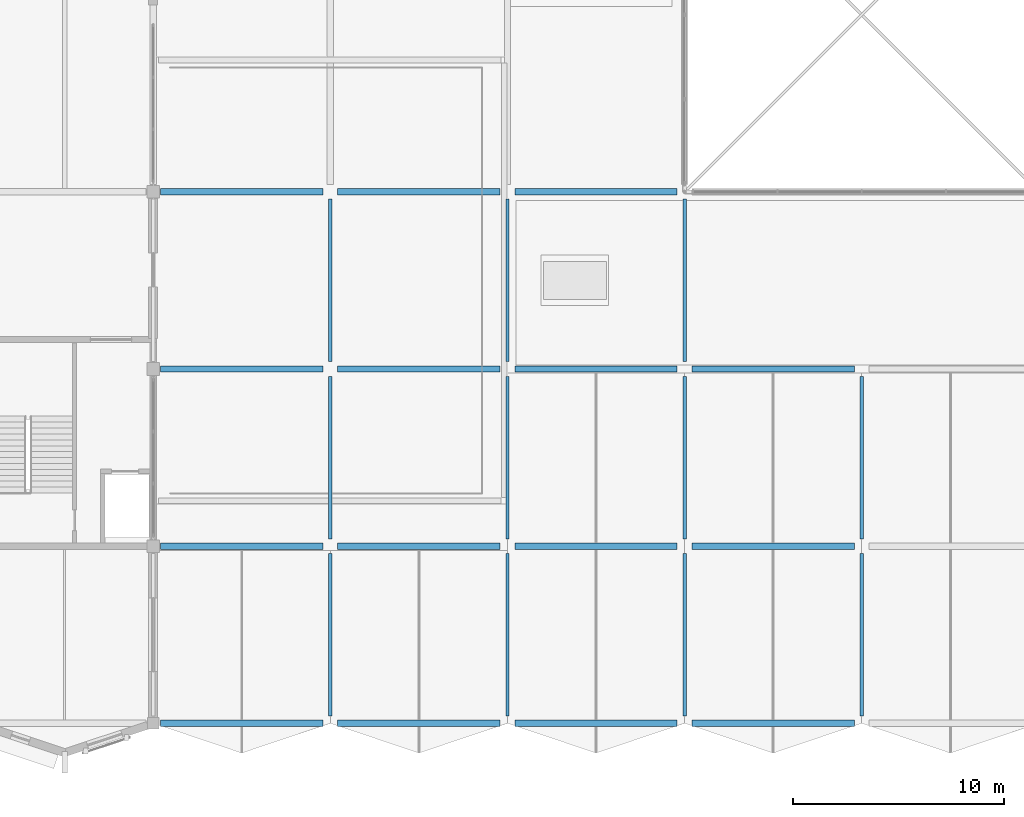
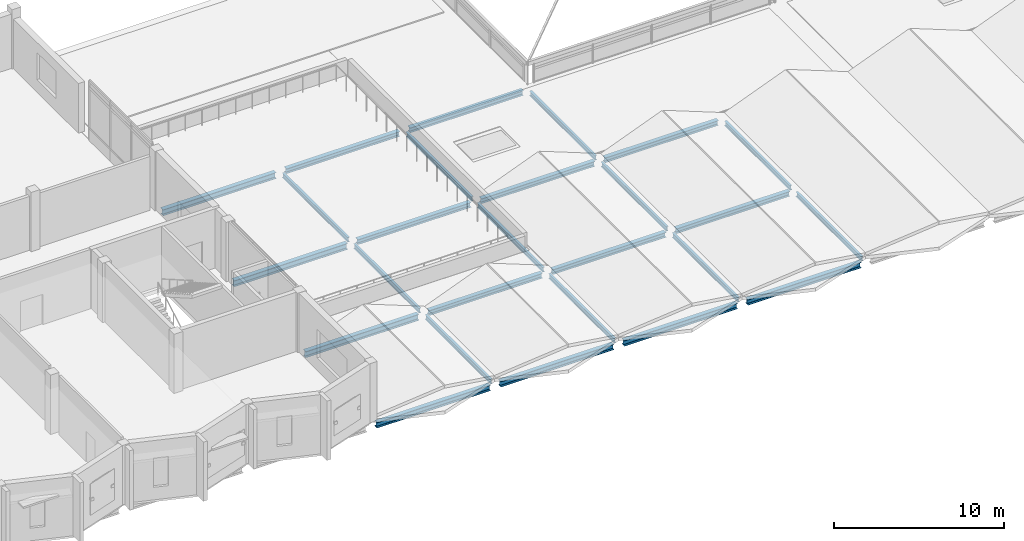
# One storey, part 58 of 81: 26 beams.
"""IFC4 building model written with IfcOpenShell, lengths in metres."""

from ifc_helpers import new_model, si_unit, direction, frame, origin, origin_2d, place, context, subcontext, project, spatial, i_section, extrude, material, material_profile, profile_set, type_object, element, save


model = new_model("IFC4")

# Units and contexts
model_context = context("Model", 3, precision=1e-05, world=origin(), true_north=direction((0.0, 1.0)))
body_context = subcontext(model_context, "Body", "Model", "MODEL_VIEW")
ifc_project = project(units=[si_unit("LENGTHUNIT", "METRE"), si_unit("AREAUNIT", "SQUARE_METRE"), si_unit("VOLUMEUNIT", "CUBIC_METRE"), si_unit("PLANEANGLEUNIT", "RADIAN"), si_unit("MASSUNIT", "GRAM", prefix="KILO")], contexts=[model_context])

# Site, building, storey
site_placement = place(None, origin())
site = spatial("IfcSite", under=ifc_project, at=site_placement, CompositionType="ELEMENT")
building_placement = place(site_placement, origin())
building = spatial("IfcBuilding", under=site, at=building_placement, Name="Qawsi Khor Wholesale Market", CompositionType="ELEMENT")
storey_placement = place(building_placement, frame((0.0, 0.0, 16.199951171875)))
storey = spatial("IfcBuildingStorey", under=building, at=storey_placement, Name="L03", CompositionType="ELEMENT", Elevation=16.199951171875)

# Beams
ifc_material = material(Name="Steel S355", Category="steel")
ifc_material_profile_1 = material_profile(ifc_material, i_section(OverallWidth=0.300048828125, OverallDepth=0.39990234375, WebThickness=0.013427734375, FlangeThickness=0.02392578125, FilletRadius=0.027099609375, at=origin_2d()), Name="HEB 400")
ifc_profile_set_1 = profile_set([ifc_material_profile_1], Name="Steel S355")
beam_type_1 = type_object("IfcBeamType", Name="Heavy Edge Girder HEB 400", PredefinedType="BEAM", material=ifc_profile_set_1)
for number, where, z_axis, x_axis, name in (
    (1, (126.35009765625, 0.0, -0.449951171875), (1.0, 0.0, 0.0), (0.0, 1.0, 0.0), "BM-X-L03-15_+00"),
    (2, (134.75, 0.0, -0.449951171875), (1.0, 0.0, 0.0), (0.0, 1.0, 0.0), "BM-X-L03-16_+00"),
):
    element("IfcBeam", number, at=place(storey_placement, frame(where, z_axis=z_axis, x_axis=x_axis)), inside=storey, type_object=beam_type_1, Name=name, PredefinedType="BEAM", context=body_context, shape_type="SweptSolid", body=[
        extrude(i_section(OverallWidth=0.300048828125, OverallDepth=0.39990234375, WebThickness=0.013427734375, FlangeThickness=0.02392578125, FilletRadius=0.027099609375, at=origin_2d()), origin(), (0.0, 0.0, 1.0), 7.699951171875),
    ])
beam_1_placement = place(storey_placement, frame((143.14990234375, 0.0, -0.449951171875), z_axis=(1.0, 0.0, 0.0), x_axis=(0.0, 1.0, 0.0)))
element("IfcBeam", 3, at=beam_1_placement, inside=storey, type_object=beam_type_1, Name="BM-X-L03-17_+00", PredefinedType="BEAM", context=body_context, shape_type="SweptSolid", body=[
    extrude(i_section(OverallWidth=0.300048828125, OverallDepth=0.39990234375, WebThickness=0.013427734375, FlangeThickness=0.02392578125, FilletRadius=0.027099609375, at=origin_2d()), origin(), (0.0, 0.0, 1.0), 7.7001953125),
])
beam_2_placement = place(storey_placement, frame((151.550048828125, 0.0, -0.449951171875), z_axis=(1.0, 0.0, 0.0), x_axis=(0.0, 1.0, 0.0)))
element("IfcBeam", 4, at=beam_2_placement, inside=storey, type_object=beam_type_1, Name="BM-X-L03-18_+00", PredefinedType="BEAM", context=body_context, shape_type="SweptSolid", body=[
    extrude(i_section(OverallWidth=0.300048828125, OverallDepth=0.39990234375, WebThickness=0.013427734375, FlangeThickness=0.02392578125, FilletRadius=0.027099609375, at=origin_2d()), origin(), (0.0, 0.0, 1.0), 7.699951171875),
])
ifc_material_profile_2 = material_profile(ifc_material, i_section(OverallWidth=0.300048828125, OverallDepth=0.35009765625, WebThickness=0.010009765625, FlangeThickness=0.017578125, FilletRadius=0.027099609375, at=origin_2d()), Name="HEA 360")
ifc_profile_set_2 = profile_set([ifc_material_profile_2], Name="Steel S355")
beam_type_2 = type_object("IfcBeamType", Name="Primary Girder HEA 360", PredefinedType="BEAM", material=ifc_profile_set_2)
for number, where, z_axis, x_axis, name in (
    (5, (134.75, 8.39990234375, -0.425048828125), (1.0, 0.0, 0.0), (0.0, 1.0, 0.0), "BM-X-L03-16_+01"),
    (6, (134.75, 16.800048828125, -0.425048828125), (1.0, 0.0, 0.0), (0.0, 1.0, 0.0), "BM-X-L03-16_+02"),
    (7, (134.75, 25.199951171875, -0.425048828125), (1.0, 0.0, 0.0), (0.0, 1.0, 0.0), "BM-X-L03-16_+03"),
):
    element("IfcBeam", number, at=place(storey_placement, frame(where, z_axis=z_axis, x_axis=x_axis)), inside=storey, type_object=beam_type_2, Name=name, PredefinedType="BEAM", context=body_context, shape_type="SweptSolid", body=[
        extrude(i_section(OverallWidth=0.300048828125, OverallDepth=0.35009765625, WebThickness=0.010009765625, FlangeThickness=0.017578125, FilletRadius=0.027099609375, at=origin_2d()), origin(), (0.0, 0.0, 1.0), 7.699951171875),
    ])
for number, where, z_axis, x_axis, name in (
    (8, (143.14990234375, 8.39990234375, -0.425048828125), (1.0, 0.0, 0.0), (0.0, 1.0, 0.0), "BM-X-L03-17_+01"),
    (9, (143.14990234375, 16.800048828125, -0.425048828125), (1.0, 0.0, 0.0), (0.0, 1.0, 0.0), "BM-X-L03-17_+02"),
    (10, (143.14990234375, 25.199951171875, -0.425048828125), (1.0, 0.0, 0.0), (0.0, 1.0, 0.0), "BM-X-L03-17_+03"),
):
    element("IfcBeam", number, at=place(storey_placement, frame(where, z_axis=z_axis, x_axis=x_axis)), inside=storey, type_object=beam_type_2, Name=name, PredefinedType="BEAM", context=body_context, shape_type="SweptSolid", body=[
        extrude(i_section(OverallWidth=0.300048828125, OverallDepth=0.35009765625, WebThickness=0.010009765625, FlangeThickness=0.017578125, FilletRadius=0.027099609375, at=origin_2d()), origin(), (0.0, 0.0, 1.0), 7.7001953125),
    ])
for number, where, z_axis, x_axis, name in (
    (11, (151.550048828125, 8.39990234375, -0.425048828125), (1.0, 0.0, 0.0), (0.0, 1.0, 0.0), "BM-X-L03-18_+01"),
    (12, (151.550048828125, 16.800048828125, -0.425048828125), (1.0, 0.0, 0.0), (0.0, 1.0, 0.0), "BM-X-L03-18_+02"),
):
    element("IfcBeam", number, at=place(storey_placement, frame(where, z_axis=z_axis, x_axis=x_axis)), inside=storey, type_object=beam_type_2, Name=name, PredefinedType="BEAM", context=body_context, shape_type="SweptSolid", body=[
        extrude(i_section(OverallWidth=0.300048828125, OverallDepth=0.35009765625, WebThickness=0.010009765625, FlangeThickness=0.017578125, FilletRadius=0.027099609375, at=origin_2d()), origin(), (0.0, 0.0, 1.0), 7.699951171875),
    ])
ifc_material_profile_3 = material_profile(ifc_material, i_section(OverallWidth=0.300048828125, OverallDepth=0.43994140625, WebThickness=0.011474609375, FlangeThickness=0.02099609375, FilletRadius=0.027099609375, at=origin_2d()), Name="HEA 450")
ifc_profile_set_3 = profile_set([ifc_material_profile_3], Name="Steel S355")
beam_type_3 = type_object("IfcBeamType", Name="Primary Girder HEA 450", PredefinedType="BEAM", material=ifc_profile_set_3)
for number, where, z_axis, x_axis, name in (
    (13, (126.35009765625, 8.39990234375, -0.469970703125), (1.0, 0.0, 0.0), (0.0, 1.0, 0.0), "BM-X-L03-15_+01"),
    (14, (126.35009765625, 16.800048828125, -0.469970703125), (1.0, 0.0, 0.0), (0.0, 1.0, 0.0), "BM-X-L03-15_+02"),
    (15, (126.35009765625, 25.199951171875, -0.469970703125), (1.0, 0.0, 0.0), (0.0, 1.0, 0.0), "BM-X-L03-15_+03"),
):
    element("IfcBeam", number, at=place(storey_placement, frame(where, z_axis=z_axis, x_axis=x_axis)), inside=storey, type_object=beam_type_3, Name=name, PredefinedType="BEAM", context=body_context, shape_type="SweptSolid", body=[
        extrude(i_section(OverallWidth=0.300048828125, OverallDepth=0.43994140625, WebThickness=0.011474609375, FlangeThickness=0.02099609375, FilletRadius=0.027099609375, at=origin_2d()), origin(), (0.0, 0.0, 1.0), 7.699951171875),
    ])
ifc_material_profile_4 = material_profile(ifc_material, i_section(OverallWidth=0.159912109375, OverallDepth=0.330078125, WebThickness=0.007568359375, FlangeThickness=0.011474609375, FilletRadius=0.01806640625, at=origin_2d()), Name="IPE 330")
ifc_profile_set_4 = profile_set([ifc_material_profile_4], Name="Steel S355")
beam_type_4 = type_object("IfcBeamType", Name="Secondary Beam IPE 330", PredefinedType="BEAM", material=ifc_profile_set_4)
for number, where, z_axis, x_axis, name in (
    (16, (134.39990234375, 0.35009765625, -0.4150390625), (0.0, 1.0, 0.0), (-1.0, 0.0, 0.0), "BM-Y-L03-16_+00"),
    (17, (134.39990234375, 8.75, -0.4150390625), (0.0, 1.0, 0.0), (-1.0, 0.0, 0.0), "BM-Y-L03-16_+01"),
):
    element("IfcBeam", number, at=place(storey_placement, frame(where, z_axis=z_axis, x_axis=x_axis)), inside=storey, type_object=beam_type_4, Name=name, PredefinedType="BEAM", context=body_context, shape_type="SweptSolid", body=[
        extrude(i_section(OverallWidth=0.159912109375, OverallDepth=0.330078125, WebThickness=0.007568359375, FlangeThickness=0.011474609375, FilletRadius=0.01806640625, at=origin_2d()), origin(), (0.0, 0.0, 1.0), 7.699951171875),
    ])
beam_3_placement = place(storey_placement, frame((134.39990234375, 17.14990234375, -0.4150390625), z_axis=(0.0, 1.0, 0.0), x_axis=(-1.0, 0.0, 0.0)))
element("IfcBeam", 18, at=beam_3_placement, inside=storey, type_object=beam_type_4, Name="BM-Y-L03-16_+02", PredefinedType="BEAM", context=body_context, shape_type="SweptSolid", body=[
    extrude(i_section(OverallWidth=0.159912109375, OverallDepth=0.330078125, WebThickness=0.007568359375, FlangeThickness=0.011474609375, FilletRadius=0.01806640625, at=origin_2d()), origin(), (0.0, 0.0, 1.0), 7.7001953125),
])
for number, where, z_axis, x_axis, name in (
    (19, (142.800048828125, 0.35009765625, -0.4150390625), (0.0, 1.0, 0.0), (-1.0, 0.0, 0.0), "BM-Y-L03-17_+00"),
    (20, (142.800048828125, 8.75, -0.4150390625), (0.0, 1.0, 0.0), (-1.0, 0.0, 0.0), "BM-Y-L03-17_+01"),
):
    element("IfcBeam", number, at=place(storey_placement, frame(where, z_axis=z_axis, x_axis=x_axis)), inside=storey, type_object=beam_type_4, Name=name, PredefinedType="BEAM", context=body_context, shape_type="SweptSolid", body=[
        extrude(i_section(OverallWidth=0.159912109375, OverallDepth=0.330078125, WebThickness=0.007568359375, FlangeThickness=0.011474609375, FilletRadius=0.01806640625, at=origin_2d()), origin(), (0.0, 0.0, 1.0), 7.699951171875),
    ])
beam_4_placement = place(storey_placement, frame((142.800048828125, 17.14990234375, -0.4150390625), z_axis=(0.0, 1.0, 0.0), x_axis=(-1.0, 0.0, 0.0)))
element("IfcBeam", 21, at=beam_4_placement, inside=storey, type_object=beam_type_4, Name="BM-Y-L03-17_+02", PredefinedType="BEAM", context=body_context, shape_type="SweptSolid", body=[
    extrude(i_section(OverallWidth=0.159912109375, OverallDepth=0.330078125, WebThickness=0.007568359375, FlangeThickness=0.011474609375, FilletRadius=0.01806640625, at=origin_2d()), origin(), (0.0, 0.0, 1.0), 7.7001953125),
])
for number, where, z_axis, x_axis, name in (
    (22, (151.199951171875, 0.35009765625, -0.4150390625), (0.0, 1.0, 0.0), (-1.0, 0.0, 0.0), "BM-Y-L03-18_+00"),
    (23, (151.199951171875, 8.75, -0.4150390625), (0.0, 1.0, 0.0), (-1.0, 0.0, 0.0), "BM-Y-L03-18_+01"),
):
    element("IfcBeam", number, at=place(storey_placement, frame(where, z_axis=z_axis, x_axis=x_axis)), inside=storey, type_object=beam_type_4, Name=name, PredefinedType="BEAM", context=body_context, shape_type="SweptSolid", body=[
        extrude(i_section(OverallWidth=0.159912109375, OverallDepth=0.330078125, WebThickness=0.007568359375, FlangeThickness=0.011474609375, FilletRadius=0.01806640625, at=origin_2d()), origin(), (0.0, 0.0, 1.0), 7.699951171875),
    ])
beam_5_placement = place(storey_placement, frame((151.199951171875, 17.14990234375, -0.4150390625), z_axis=(0.0, 1.0, 0.0), x_axis=(-1.0, 0.0, 0.0)))
element("IfcBeam", 24, at=beam_5_placement, inside=storey, type_object=beam_type_4, Name="BM-Y-L03-18_+02", PredefinedType="BEAM", context=body_context, shape_type="SweptSolid", body=[
    extrude(i_section(OverallWidth=0.159912109375, OverallDepth=0.330078125, WebThickness=0.007568359375, FlangeThickness=0.011474609375, FilletRadius=0.01806640625, at=origin_2d()), origin(), (0.0, 0.0, 1.0), 7.7001953125),
])
for number, where, z_axis, x_axis, name in (
    (25, (159.60009765625, 0.35009765625, -0.4150390625), (0.0, 1.0, 0.0), (-1.0, 0.0, 0.0), "BM-Y-L03-19_+00"),
    (26, (159.60009765625, 8.75, -0.4150390625), (0.0, 1.0, 0.0), (-1.0, 0.0, 0.0), "BM-Y-L03-19_+01"),
):
    element("IfcBeam", number, at=place(storey_placement, frame(where, z_axis=z_axis, x_axis=x_axis)), inside=storey, type_object=beam_type_4, Name=name, PredefinedType="BEAM", context=body_context, shape_type="SweptSolid", body=[
        extrude(i_section(OverallWidth=0.159912109375, OverallDepth=0.330078125, WebThickness=0.007568359375, FlangeThickness=0.011474609375, FilletRadius=0.01806640625, at=origin_2d()), origin(), (0.0, 0.0, 1.0), 7.699951171875),
    ])

save(model, "model.ifc")
